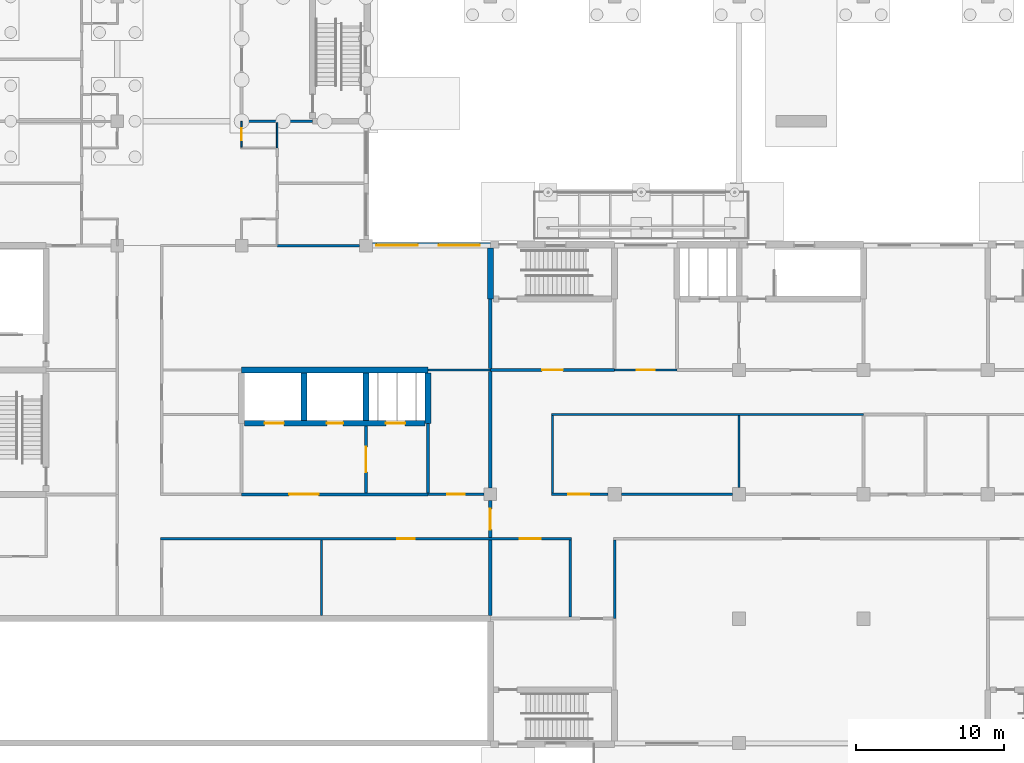
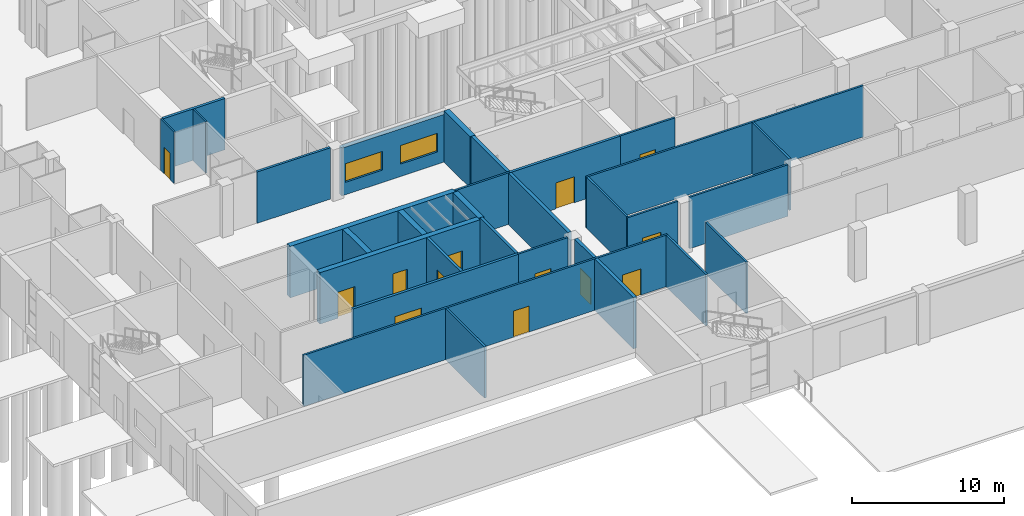
# One storey, part 96 of 138: 31 walls, 13 doors, 2 windows, 15 openings.
"""IFC4 building model written with IfcOpenShell, lengths in metres."""

from ifc_helpers import new_model, si_unit, direction, frame, frame_2d, origin, place, context, subcontext, project, spatial, rectangle, extrude, material, layer, layer_set, type_object, element, fill, save


model = new_model("IFC4")

# Units and contexts
model_context = context("Model", 3, precision=1e-05, world=origin(), true_north=direction((0.0, 1.0)))
body_context = subcontext(model_context, "Body", "Model", "MODEL_VIEW")
ifc_project = project(units=[si_unit("LENGTHUNIT", "METRE"), si_unit("AREAUNIT", "SQUARE_METRE"), si_unit("VOLUMEUNIT", "CUBIC_METRE"), si_unit("PLANEANGLEUNIT", "RADIAN"), si_unit("MASSUNIT", "GRAM", prefix="KILO")], contexts=[model_context])

# Site, building, storey
site_placement = place(None, origin())
site = spatial("IfcSite", under=ifc_project, at=site_placement, CompositionType="ELEMENT")
building_placement = place(site_placement, origin())
building = spatial("IfcBuilding", under=site, at=building_placement, Name="Yavir Park General Hospital", CompositionType="ELEMENT")
storey_placement = place(building_placement, origin())
storey = spatial("IfcBuildingStorey", under=building, at=storey_placement, Name="L00", CompositionType="ELEMENT", Elevation=0.0)

# Walls
ifc_material_1 = material(Name="Double-leaf gypsum board acoustic partition on staggered studs")
ifc_layer_1 = layer(ifc_material_1, 0.175048828125)
ifc_layer_set_1 = layer_set([ifc_layer_1], Name="Double-leaf gypsum board acoustic partition on staggered studs")
wall_type_1 = type_object("IfcWallType", Name="Acoustic partition 175", PredefinedType="PARTITIONING", material=ifc_layer_set_1)
wall_1_placement = place(storey_placement, frame((19.199951171875, 33.60009765625, 0.0), z_axis=(0.0, 0.0, 1.0), x_axis=(1.0, 0.0, 0.0)))
element("IfcWall", 1, at=wall_1_placement, inside=storey, type_object=wall_type_1, Name="AP175 L00-088", PredefinedType="PARTITIONING", context=body_context, shape_type="SweptSolid", body=[
    extrude(rectangle(XDim=5.574951171875, YDim=0.175048828125, at=frame_2d((2.78759765625, 0.0))), origin(), (0.0, 0.0, 1.0), 4.139892578125),
])
ifc_material_2 = material(Name="Concrete C30/37", Category="concrete")
ifc_layer_2 = layer(ifc_material_2, 0.25)
ifc_layer_set_2 = layer_set([ifc_layer_2], Name="Concrete C30/37")
wall_type_2 = type_object("IfcWallType", Name="Compartment fire wall 250, REI 150", PredefinedType="SOLIDWALL", material=ifc_layer_set_2)
wall_2_placement = place(storey_placement, frame((33.60009765625, 8.60009765625, 0.0), z_axis=(0.0, 0.0, 1.0), x_axis=(0.0, 1.0, 0.0)))
element("IfcWall", 2, at=wall_2_placement, inside=storey, type_object=wall_type_2, Name="FW25 L00-347", PredefinedType="SOLIDWALL", context=body_context, shape_type="SweptSolid", body=[
    extrude(rectangle(XDim=5.125, YDim=0.25, at=frame_2d((2.5625, 0.0))), origin(), (0.0, 0.0, 1.0), 4.139892578125),
])

# Wall, opening, door
wall_3_placement = place(storey_placement, frame((33.60009765625, 13.875, 0.0), z_axis=(0.0, 0.0, 1.0), x_axis=(0.0, 1.0, 0.0)))
wall_3 = element("IfcWall", 3, at=wall_3_placement, inside=storey, type_object=wall_type_2, Name="FW25 L00-348", PredefinedType="SOLIDWALL", context=body_context, shape_type="SweptSolid", body=[
    extrude(rectangle(XDim=2.5, YDim=0.25, at=frame_2d((1.25, 0.0))), origin(), (0.0, 0.0, 1.0), 4.139892578125),
])
opening_1_placement = place(wall_3_placement, frame((0.550048828125, 0.0, 0.0)))
opening_1 = element("IfcOpeningElement", 4, at=opening_1_placement, cuts=wall_3, Name="Opening L00.D194", PredefinedType="OPENING", context=body_context, shape_type="SweptSolid", body=[
    extrude(rectangle(XDim=1.39990234375, YDim=2.10009765625, at=frame_2d((0.699951171875, 1.050048828125))), frame((0.0, 0.135009765625, 0.0), z_axis=(0.0, -1.0, 0.0), x_axis=(1.0, 0.0, 0.0)), (0.0, 0.0, 1.0), 0.27001953125),
])
ifc_material_3 = material(Name="Steel frame, fire-resisting leaves with vision panels", Category="steel")
door_type_1 = type_object("IfcDoorType", Name="Double fire door with vision panels 1400 x 2100, EI 60", OperationType="DOUBLE_DOOR_SINGLE_SWING", PredefinedType="DOOR", material=ifc_material_3)
door_1_placement = place(opening_1_placement, origin())
door_1 = element("IfcDoor", 5, at=door_1_placement, inside=storey, type_object=door_type_1, Name="L00.D194", OperationType="SINGLE_SWING_RIGHT", OverallHeight=2.10009765625, OverallWidth=1.39990234375, PredefinedType="DOOR", context=body_context, shape_type="SweptSolid", body=[
    extrude(rectangle(XDim=1.39990234375, YDim=2.10009765625, at=frame_2d((0.699951171875, 1.050048828125))), frame((0.0, 0.030029296875, 0.0), z_axis=(0.0, -1.0, 0.0), x_axis=(1.0, 0.0, 0.0)), (0.0, 0.0, 1.0), 0.06005859375),
])
fill(opening_1, door_1)

# Walls
wall_4_placement = place(storey_placement, frame((33.60009765625, 17.22509765625, 0.0), z_axis=(0.0, 0.0, 1.0), x_axis=(0.0, 1.0, 0.0)))
element("IfcWall", 6, at=wall_4_placement, inside=storey, type_object=wall_type_2, Name="FW25 L00-349", PredefinedType="SOLIDWALL", context=body_context, shape_type="SweptSolid", body=[
    extrude(rectangle(XDim=7.875, YDim=0.25, at=frame_2d((3.9375, 0.0))), origin(), (0.0, 0.0, 1.0), 4.139892578125),
])
wall_5_placement = place(storey_placement, frame((33.60009765625, 25.300048828125, 0.0), z_axis=(0.0, 0.0, 1.0), x_axis=(0.0, 1.0, 0.0)))
element("IfcWall", 7, at=wall_5_placement, inside=storey, type_object=wall_type_2, Name="FW25 L00-350", PredefinedType="SOLIDWALL", context=body_context, shape_type="SweptSolid", body=[
    extrude(rectangle(XDim=4.699951171875, YDim=0.25, at=frame_2d((2.35009765625, 0.0))), origin(), (0.0, 0.0, 1.0), 4.139892578125),
])

# Wall, opening, door
ifc_material_4 = material(Name="Double gypsum board fire partition on steel studs", Category="steel")
ifc_layer_3 = layer(ifc_material_4, 0.199951171875)
ifc_layer_set_3 = layer_set([ifc_layer_3], Name="Double gypsum board fire partition on steel studs")
wall_type_3 = type_object("IfcWallType", Name="Fire-rated partition 200, EI 60", PredefinedType="PARTITIONING", material=ifc_layer_set_3)
wall_6_placement = place(storey_placement, frame((16.800048828125, 16.800048828125, 0.0), z_axis=(0.0, 0.0, 1.0), x_axis=(1.0, 0.0, 0.0)))
wall_6 = element("IfcWall", 8, at=wall_6_placement, inside=storey, type_object=wall_type_3, Name="FP20 L00-033", PredefinedType="PARTITIONING", context=body_context, shape_type="SweptSolid", body=[
    extrude(rectangle(XDim=12.599853515625, YDim=0.199951171875, at=frame_2d((6.2998046875, 0.0))), origin(), (0.0, 0.0, 1.0), 4.139892578125),
])
opening_2_placement = place(wall_6_placement, frame((3.199951171875, 0.0, 0.0)))
opening_2 = element("IfcOpeningElement", 9, at=opening_2_placement, cuts=wall_6, Name="Opening L00.D029", PredefinedType="OPENING", context=body_context, shape_type="SweptSolid", body=[
    extrude(rectangle(XDim=2.0, YDim=2.39990234375, at=frame_2d((1.0, 1.199951171875))), frame((0.0, 0.10986328125, 0.0), z_axis=(0.0, -1.0, 0.0), x_axis=(1.0, 0.0, 0.0)), (0.0, 0.0, 1.0), 0.219970703125),
])
ifc_material_5 = material(Name="Steel frame, fire-resisting leaves with vision panels", Category="steel")
door_type_2 = type_object("IfcDoorType", Name="Double fire door with vision panels 2000 x 2400, EI 60", OperationType="DOUBLE_DOOR_SINGLE_SWING", PredefinedType="DOOR", material=ifc_material_5)
door_2_placement = place(opening_2_placement, origin())
door_2 = element("IfcDoor", 10, at=door_2_placement, inside=storey, type_object=door_type_2, Name="L00.D029", OperationType="SINGLE_SWING_RIGHT", OverallHeight=2.39990234375, OverallWidth=2.0, PredefinedType="DOOR", context=body_context, shape_type="SweptSolid", body=[
    extrude(rectangle(XDim=2.0, YDim=2.39990234375, at=frame_2d((1.0, 1.199951171875))), frame((0.0, 0.030029296875, 0.0), z_axis=(0.0, -1.0, 0.0), x_axis=(1.0, 0.0, 0.0)), (0.0, 0.0, 1.0), 0.06005859375),
])
fill(opening_2, door_2)

wall_7_placement = place(storey_placement, frame((33.60009765625, 25.199951171875, 0.0), z_axis=(0.0, 0.0, 1.0), x_axis=(1.0, 0.0, 0.0)))
wall_7 = element("IfcWall", 11, at=wall_7_placement, inside=storey, type_object=wall_type_3, Name="FP20 L00-062", PredefinedType="PARTITIONING", context=body_context, shape_type="SweptSolid", body=[
    extrude(rectangle(XDim=8.39990234375, YDim=0.199951171875, at=frame_2d((4.199951171875, 0.0))), origin(), (0.0, 0.0, 1.0), 4.139892578125),
])
opening_3_placement = place(wall_7_placement, frame((3.5, 0.0, 0.0)))
opening_3 = element("IfcOpeningElement", 12, at=opening_3_placement, cuts=wall_7, Name="Opening L00.D058", PredefinedType="OPENING", context=body_context, shape_type="SweptSolid", body=[
    extrude(rectangle(XDim=1.39990234375, YDim=2.10009765625, at=frame_2d((0.699951171875, 1.050048828125))), frame((0.0, 0.10986328125, 0.0), z_axis=(0.0, -1.0, 0.0), x_axis=(1.0, 0.0, 0.0)), (0.0, 0.0, 1.0), 0.219970703125),
])
door_3_placement = place(opening_3_placement, origin())
door_3 = element("IfcDoor", 13, at=door_3_placement, inside=storey, type_object=door_type_1, Name="L00.D058", OperationType="SINGLE_SWING_RIGHT", OverallHeight=2.10009765625, OverallWidth=1.39990234375, PredefinedType="DOOR", context=body_context, shape_type="SweptSolid", body=[
    extrude(rectangle(XDim=1.39990234375, YDim=2.10009765625, at=frame_2d((0.699951171875, 1.050048828125))), frame((0.0, 0.030029296875, 0.0), z_axis=(0.0, -1.0, 0.0), x_axis=(1.0, 0.0, 0.0)), (0.0, 0.0, 1.0), 0.06005859375),
])
fill(opening_3, door_3)

# Wall
wall_8_placement = place(storey_placement, frame((16.89990234375, 42.0, 0.0), z_axis=(0.0, 0.0, 1.0), x_axis=(1.0, 0.0, 0.0)))
element("IfcWall", 14, at=wall_8_placement, inside=storey, type_object=wall_type_3, Name="FP20 L00-108", PredefinedType="PARTITIONING", context=body_context, shape_type="SweptSolid", body=[
    extrude(rectangle(XDim=4.7001953125, YDim=0.199951171875, at=frame_2d((2.35009765625, 0.0))), origin(), (0.0, 0.0, 1.0), 4.139892578125),
])

# Wall, opening, door
wall_9_placement = place(storey_placement, frame((25.199951171875, 16.89990234375, 0.0), z_axis=(0.0, 0.0, 1.0), x_axis=(0.0, 1.0, 0.0)))
wall_9 = element("IfcWall", 15, at=wall_9_placement, inside=storey, type_object=wall_type_3, Name="FP20 L00-342", PredefinedType="PARTITIONING", context=body_context, shape_type="SweptSolid", body=[
    extrude(rectangle(XDim=4.5, YDim=0.199951171875, at=frame_2d((2.25, 0.0))), origin(), (0.0, 0.0, 1.0), 4.139892578125),
])
opening_4_placement = place(wall_9_placement, frame((1.39990234375, 0.0, 0.0)))
opening_4 = element("IfcOpeningElement", 16, at=opening_4_placement, cuts=wall_9, Name="Opening L00.D193", PredefinedType="OPENING", context=body_context, shape_type="SweptSolid", body=[
    extrude(rectangle(XDim=1.699951171875, YDim=2.39990234375, at=frame_2d((0.85009765625, 1.199951171875))), frame((0.0, 0.10986328125, 0.0), z_axis=(0.0, -1.0, 0.0), x_axis=(1.0, 0.0, 0.0)), (0.0, 0.0, 1.0), 0.219970703125),
])
ifc_material_6 = material(Name="Steel frame, fire-resisting timber leaves", Category="steel")
door_type_3 = type_object("IfcDoorType", Name="Double fire door 1700 x 2400, EI 60", OperationType="DOUBLE_DOOR_SINGLE_SWING", PredefinedType="DOOR", material=ifc_material_6)
door_4_placement = place(opening_4_placement, origin())
door_4 = element("IfcDoor", 17, at=door_4_placement, inside=storey, type_object=door_type_3, Name="L00.D193", OperationType="SINGLE_SWING_RIGHT", OverallHeight=2.39990234375, OverallWidth=1.699951171875, PredefinedType="DOOR", context=body_context, shape_type="SweptSolid", body=[
    extrude(rectangle(XDim=1.699951171875, YDim=2.39990234375, at=frame_2d((0.85009765625, 1.199951171875))), frame((0.0, 0.02490234375, 0.0), z_axis=(0.0, -1.0, 0.0), x_axis=(1.0, 0.0, 0.0)), (0.0, 0.0, 1.0), 0.050048828125),
])
fill(opening_4, door_4)

# Wall
wall_10_placement = place(storey_placement, frame((29.39990234375, 16.89990234375, 0.0), z_axis=(0.0, 0.0, 1.0), x_axis=(0.0, 1.0, 0.0)))
element("IfcWall", 18, at=wall_10_placement, inside=storey, type_object=wall_type_3, Name="FP20 L00-344", PredefinedType="PARTITIONING", context=body_context, shape_type="SweptSolid", body=[
    extrude(rectangle(XDim=4.7001953125, YDim=0.199951171875, at=frame_2d((2.35009765625, 0.0))), origin(), (0.0, 0.0, 1.0), 4.139892578125),
])

# Wall, opening, door
ifc_material_7 = material(Name="Gypsum board partition on steel studs", Category="steel")
ifc_layer_4 = layer(ifc_material_7, 0.10009765625)
ifc_layer_set_4 = layer_set([ifc_layer_4], Name="Gypsum board partition on steel studs")
wall_type_4 = type_object("IfcWallType", Name="Gypsum board partition 100", PredefinedType="PARTITIONING", material=ifc_layer_set_4)
wall_11_placement = place(storey_placement, frame((16.800048828125, 40.25, 0.0), z_axis=(0.0, 0.0, 1.0), x_axis=(0.0, 1.0, 0.0)))
wall_11 = element("IfcWall", 19, at=wall_11_placement, inside=storey, type_object=wall_type_4, Name="P10 L00-300", PredefinedType="PARTITIONING", context=body_context, shape_type="SweptSolid", body=[
    extrude(rectangle(XDim=1.75, YDim=0.10009765625, at=frame_2d((0.875, 0.0))), origin(), (0.0, 0.0, 1.0), 4.139892578125),
])
opening_5_placement = place(wall_11_placement, frame((0.47509765625, 0.0, 0.0)))
opening_5 = element("IfcOpeningElement", 20, at=opening_5_placement, cuts=wall_11, Name="Opening L00.D163", PredefinedType="OPENING", context=body_context, shape_type="SweptSolid", body=[
    extrude(rectangle(XDim=0.800048828125, YDim=2.10009765625, at=frame_2d((0.39990234375, 1.050048828125))), frame((0.0, 0.06005859375, 0.0), z_axis=(0.0, -1.0, 0.0), x_axis=(1.0, 0.0, 0.0)), (0.0, 0.0, 1.0), 0.1201171875),
])
ifc_material_8 = material(Name="Timber frame, hollow-core leaf", Category="wood")
door_type_4 = type_object("IfcDoorType", Name="Light cupboard door 800 x 2100", OperationType="SINGLE_SWING_LEFT", PredefinedType="DOOR", material=ifc_material_8)
door_5_placement = place(opening_5_placement, origin())
door_5 = element("IfcDoor", 21, at=door_5_placement, inside=storey, type_object=door_type_4, Name="L00.D163", OperationType="SINGLE_SWING_LEFT", OverallHeight=2.10009765625, OverallWidth=0.800048828125, PredefinedType="DOOR", context=body_context, shape_type="SweptSolid", body=[
    extrude(rectangle(XDim=0.800048828125, YDim=2.10009765625, at=frame_2d((0.39990234375, 1.050048828125))), frame((0.0, 0.02001953125, 0.0), z_axis=(0.0, -1.0, 0.0), x_axis=(1.0, 0.0, 0.0)), (0.0, 0.0, 1.0), 0.0400390625),
])
fill(opening_5, door_5)

# Wall
wall_12_placement = place(storey_placement, frame((19.199951171875, 40.199951171875, 0.0), z_axis=(0.0, 0.0, 1.0), x_axis=(0.0, 1.0, 0.0)))
element("IfcWall", 22, at=wall_12_placement, inside=storey, type_object=wall_type_4, Name="P10 L00-318", PredefinedType="PARTITIONING", context=body_context, shape_type="SweptSolid", body=[
    extrude(rectangle(XDim=1.699951171875, YDim=0.10009765625, at=frame_2d((0.85009765625, 0.0))), origin(), (0.0, 0.0, 1.0), 4.139892578125),
])

# Wall, openings, doors
ifc_material_9 = material(Name="Gypsum board partition on steel studs", Category="steel")
ifc_layer_5 = layer(ifc_material_9, 0.14990234375)
ifc_layer_set_5 = layer_set([ifc_layer_5], Name="Gypsum board partition on steel studs")
wall_type_5 = type_object("IfcWallType", Name="Gypsum board partition 150", PredefinedType="PARTITIONING", material=ifc_layer_set_5)
wall_13_placement = place(storey_placement, frame((11.324951171875, 13.800048828125, 0.0), z_axis=(0.0, 0.0, 1.0), x_axis=(1.0, 0.0, 0.0)))
wall_13 = element("IfcWall", 23, at=wall_13_placement, inside=storey, type_object=wall_type_5, Name="P15 L00-027", PredefinedType="PARTITIONING", context=body_context, shape_type="SweptSolid", body=[
    extrude(rectangle(XDim=27.75, YDim=0.14990234375, at=frame_2d((13.875, 0.0))), origin(), (0.0, 0.0, 1.0), 4.139892578125),
])
opening_6_placement = place(wall_13_placement, frame((15.97509765625, 0.0, 0.0)))
opening_6 = element("IfcOpeningElement", 24, at=opening_6_placement, cuts=wall_13, Name="Opening L00.D024", PredefinedType="OPENING", context=body_context, shape_type="SweptSolid", body=[
    extrude(rectangle(XDim=1.199951171875, YDim=2.10009765625, at=frame_2d((0.60009765625, 1.050048828125))), frame((0.0, 0.0849609375, 0.0), z_axis=(0.0, -1.0, 0.0), x_axis=(1.0, 0.0, 0.0)), (0.0, 0.0, 1.0), 0.169921875),
])
opening_7_placement = place(wall_13_placement, frame((24.27490234375, 0.0, 0.0)))
opening_7 = element("IfcOpeningElement", 25, at=opening_7_placement, cuts=wall_13, Name="Opening L00.D025", PredefinedType="OPENING", context=body_context, shape_type="SweptSolid", body=[
    extrude(rectangle(XDim=1.39990234375, YDim=2.10009765625, at=frame_2d((0.699951171875, 1.050048828125))), frame((0.0, 0.0849609375, 0.0), z_axis=(0.0, -1.0, 0.0), x_axis=(1.0, 0.0, 0.0)), (0.0, 0.0, 1.0), 0.169921875),
])
ifc_material_10 = material(Name="Hollow metal frame, solid-core timber leaf", Category="wood")
door_type_5 = type_object("IfcDoorType", Name="Double swing door 1400 x 2100", OperationType="DOUBLE_DOOR_SINGLE_SWING", PredefinedType="DOOR", material=ifc_material_10)
door_6_placement = place(opening_7_placement, origin())
door_6 = element("IfcDoor", 26, at=door_6_placement, inside=storey, type_object=door_type_5, Name="L00.D025", OperationType="SINGLE_SWING_LEFT", OverallHeight=2.10009765625, OverallWidth=1.39990234375, PredefinedType="DOOR", context=body_context, shape_type="SweptSolid", body=[
    extrude(rectangle(XDim=1.39990234375, YDim=2.10009765625, at=frame_2d((0.699951171875, 1.050048828125))), frame((0.0, 0.02490234375, 0.0), z_axis=(0.0, -1.0, 0.0), x_axis=(1.0, 0.0, 0.0)), (0.0, 0.0, 1.0), 0.050048828125),
])
fill(opening_7, door_6)
ifc_material_11 = material(Name="Hollow metal frame, solid-core timber leaf", Category="wood")
door_type_6 = type_object("IfcDoorType", Name="Single swing door 1200 x 2100", OperationType="SINGLE_SWING_LEFT", PredefinedType="DOOR", material=ifc_material_11)
door_7_placement = place(opening_6_placement, origin())
door_7 = element("IfcDoor", 27, at=door_7_placement, inside=storey, type_object=door_type_6, Name="L00.D024", OperationType="SINGLE_SWING_RIGHT", OverallHeight=2.10009765625, OverallWidth=1.199951171875, PredefinedType="DOOR", context=body_context, shape_type="SweptSolid", body=[
    extrude(rectangle(XDim=1.199951171875, YDim=2.10009765625, at=frame_2d((0.60009765625, 1.050048828125))), frame((0.0, 0.02490234375, 0.0), z_axis=(0.0, -1.0, 0.0), x_axis=(1.0, 0.0, 0.0)), (0.0, 0.0, 1.0), 0.050048828125),
])
fill(opening_6, door_7)

# Wall, opening, door
wall_14_placement = place(storey_placement, frame((29.39990234375, 16.800048828125, 0.0), z_axis=(0.0, 0.0, 1.0), x_axis=(1.0, 0.0, 0.0)))
wall_14 = element("IfcWall", 28, at=wall_14_placement, inside=storey, type_object=wall_type_5, Name="P15 L00-034", PredefinedType="PARTITIONING", context=body_context, shape_type="SweptSolid", body=[
    extrude(rectangle(XDim=3.775146484375, YDim=0.14990234375, at=frame_2d((1.8876953125, 0.0))), origin(), (0.0, 0.0, 1.0), 4.139892578125),
])
opening_8_placement = place(wall_14_placement, frame((1.28759765625, 0.0, 0.0)))
opening_8 = element("IfcOpeningElement", 29, at=opening_8_placement, cuts=wall_14, Name="Opening L00.D030", PredefinedType="OPENING", context=body_context, shape_type="SweptSolid", body=[
    extrude(rectangle(XDim=1.199951171875, YDim=2.10009765625, at=frame_2d((0.60009765625, 1.050048828125))), frame((0.0, 0.0849609375, 0.0), z_axis=(0.0, -1.0, 0.0), x_axis=(1.0, 0.0, 0.0)), (0.0, 0.0, 1.0), 0.169921875),
])
door_8_placement = place(opening_8_placement, origin())
door_8 = element("IfcDoor", 30, at=door_8_placement, inside=storey, type_object=door_type_6, Name="L00.D030", OperationType="SINGLE_SWING_RIGHT", OverallHeight=2.10009765625, OverallWidth=1.199951171875, PredefinedType="DOOR", context=body_context, shape_type="SweptSolid", body=[
    extrude(rectangle(XDim=1.199951171875, YDim=2.10009765625, at=frame_2d((0.60009765625, 1.050048828125))), frame((0.0, 0.02490234375, 0.0), z_axis=(0.0, -1.0, 0.0), x_axis=(1.0, 0.0, 0.0)), (0.0, 0.0, 1.0), 0.050048828125),
])
fill(opening_8, door_8)

wall_15_placement = place(storey_placement, frame((37.72509765625, 16.800048828125, 0.0), z_axis=(0.0, 0.0, 1.0), x_axis=(1.0, 0.0, 0.0)))
wall_15 = element("IfcWall", 31, at=wall_15_placement, inside=storey, type_object=wall_type_5, Name="P15 L00-035", PredefinedType="PARTITIONING", context=body_context, shape_type="SweptSolid", body=[
    extrude(rectangle(XDim=3.824951171875, YDim=0.14990234375, at=frame_2d((1.91259765625, 0.0))), origin(), (0.0, 0.0, 1.0), 4.139892578125),
])
opening_9_placement = place(wall_15_placement, frame((1.14990234375, 0.0, 0.0)))
opening_9 = element("IfcOpeningElement", 32, at=opening_9_placement, cuts=wall_15, Name="Opening L00.D031", PredefinedType="OPENING", context=body_context, shape_type="SweptSolid", body=[
    extrude(rectangle(XDim=1.39990234375, YDim=2.10009765625, at=frame_2d((0.699951171875, 1.050048828125))), frame((0.0, 0.0849609375, 0.0), z_axis=(0.0, -1.0, 0.0), x_axis=(1.0, 0.0, 0.0)), (0.0, 0.0, 1.0), 0.169921875),
])
door_9_placement = place(opening_9_placement, origin())
door_9 = element("IfcDoor", 33, at=door_9_placement, inside=storey, type_object=door_type_5, Name="L00.D031", OperationType="SINGLE_SWING_RIGHT", OverallHeight=2.10009765625, OverallWidth=1.39990234375, PredefinedType="DOOR", context=body_context, shape_type="SweptSolid", body=[
    extrude(rectangle(XDim=1.39990234375, YDim=2.10009765625, at=frame_2d((0.699951171875, 1.050048828125))), frame((0.0, 0.02490234375, 0.0), z_axis=(0.0, -1.0, 0.0), x_axis=(1.0, 0.0, 0.0)), (0.0, 0.0, 1.0), 0.050048828125),
])
fill(opening_9, door_9)

# Walls
wall_16_placement = place(storey_placement, frame((42.449951171875, 16.800048828125, 0.0), z_axis=(0.0, 0.0, 1.0), x_axis=(1.0, 0.0, 0.0)))
element("IfcWall", 34, at=wall_16_placement, inside=storey, type_object=wall_type_5, Name="P15 L00-036", PredefinedType="PARTITIONING", context=body_context, shape_type="SweptSolid", body=[
    extrude(rectangle(XDim=7.5, YDim=0.14990234375, at=frame_2d((3.75, 0.0))), origin(), (0.0, 0.0, 1.0), 4.139892578125),
])
wall_17_placement = place(storey_placement, frame((37.72509765625, 22.199951171875, 0.0), z_axis=(0.0, 0.0, 1.0), x_axis=(1.0, 0.0, 0.0)))
element("IfcWall", 35, at=wall_17_placement, inside=storey, type_object=wall_type_5, Name="P15 L00-053", PredefinedType="PARTITIONING", context=body_context, shape_type="SweptSolid", body=[
    extrude(rectangle(XDim=21.074951171875, YDim=0.14990234375, at=frame_2d((10.53759765625, 0.0))), origin(), (0.0, 0.0, 1.0), 4.139892578125),
])
wall_18_placement = place(storey_placement, frame((29.39990234375, 25.199951171875, 0.0), z_axis=(0.0, 0.0, 1.0), x_axis=(1.0, 0.0, 0.0)))
element("IfcWall", 36, at=wall_18_placement, inside=storey, type_object=wall_type_5, Name="P15 L00-061", PredefinedType="PARTITIONING", context=body_context, shape_type="SweptSolid", body=[
    extrude(rectangle(XDim=4.2001953125, YDim=0.14990234375, at=frame_2d((2.10009765625, 0.0))), origin(), (0.0, 0.0, 1.0), 4.139892578125),
])

# Wall, opening, door
wall_19_placement = place(storey_placement, frame((42.0, 25.199951171875, 0.0), z_axis=(0.0, 0.0, 1.0), x_axis=(1.0, 0.0, 0.0)))
wall_19 = element("IfcWall", 37, at=wall_19_placement, inside=storey, type_object=wall_type_5, Name="P15 L00-063", PredefinedType="PARTITIONING", context=body_context, shape_type="SweptSolid", body=[
    extrude(rectangle(XDim=4.199951171875, YDim=0.14990234375, at=frame_2d((2.10009765625, 0.0))), origin(), (0.0, 0.0, 1.0), 4.139892578125),
])
opening_10_placement = place(wall_19_placement, frame((1.5, 0.0, 0.0)))
opening_10 = element("IfcOpeningElement", 38, at=opening_10_placement, cuts=wall_19, Name="Opening L00.D059", PredefinedType="OPENING", context=body_context, shape_type="SweptSolid", body=[
    extrude(rectangle(XDim=1.199951171875, YDim=2.10009765625, at=frame_2d((0.60009765625, 1.050048828125))), frame((0.0, 0.0849609375, 0.0), z_axis=(0.0, -1.0, 0.0), x_axis=(1.0, 0.0, 0.0)), (0.0, 0.0, 1.0), 0.169921875),
])
door_10_placement = place(opening_10_placement, origin())
door_10 = element("IfcDoor", 39, at=door_10_placement, inside=storey, type_object=door_type_6, Name="L00.D059", OperationType="SINGLE_SWING_RIGHT", OverallHeight=2.10009765625, OverallWidth=1.199951171875, PredefinedType="DOOR", context=body_context, shape_type="SweptSolid", body=[
    extrude(rectangle(XDim=1.199951171875, YDim=2.10009765625, at=frame_2d((0.60009765625, 1.050048828125))), frame((0.0, 0.02490234375, 0.0), z_axis=(0.0, -1.0, 0.0), x_axis=(1.0, 0.0, 0.0)), (0.0, 0.0, 1.0), 0.050048828125),
])
fill(opening_10, door_10)

# Walls
wall_20_placement = place(storey_placement, frame((22.199951171875, 8.60009765625, 0.0), z_axis=(0.0, 0.0, 1.0), x_axis=(0.0, 1.0, 0.0)))
element("IfcWall", 40, at=wall_20_placement, inside=storey, type_object=wall_type_5, Name="P15 L00-341", PredefinedType="PARTITIONING", context=body_context, shape_type="SweptSolid", body=[
    extrude(rectangle(XDim=5.125, YDim=0.14990234375, at=frame_2d((2.5625, 0.0))), origin(), (0.0, 0.0, 1.0), 4.139892578125),
])
wall_21_placement = place(storey_placement, frame((37.800048828125, 16.875, 0.0), z_axis=(0.0, 0.0, 1.0), x_axis=(0.0, 1.0, 0.0)))
element("IfcWall", 41, at=wall_21_placement, inside=storey, type_object=wall_type_5, Name="P15 L00-352", PredefinedType="PARTITIONING", context=body_context, shape_type="SweptSolid", body=[
    extrude(rectangle(XDim=5.25, YDim=0.14990234375, at=frame_2d((2.625, 0.0))), origin(), (0.0, 0.0, 1.0), 4.139892578125),
])
wall_22_placement = place(storey_placement, frame((39.0, 8.5, 0.0), z_axis=(0.0, 0.0, 1.0), x_axis=(0.0, 1.0, 0.0)))
element("IfcWall", 42, at=wall_22_placement, inside=storey, type_object=wall_type_5, Name="P15 L00-354", PredefinedType="PARTITIONING", context=body_context, shape_type="SweptSolid", body=[
    extrude(rectangle(XDim=5.22509765625, YDim=0.14990234375, at=frame_2d((2.612548828125, 0.0))), origin(), (0.0, 0.0, 1.0), 4.139892578125),
])
wall_23_placement = place(storey_placement, frame((42.0, 8.39990234375, 0.0), z_axis=(0.0, 0.0, 1.0), x_axis=(0.0, 1.0, 0.0)))
element("IfcWall", 43, at=wall_23_placement, inside=storey, type_object=wall_type_5, Name="P15 L00-357", PredefinedType="PARTITIONING", context=body_context, shape_type="SweptSolid", body=[
    extrude(rectangle(XDim=5.3251953125, YDim=0.14990234375, at=frame_2d((2.66259765625, 0.0))), origin(), (0.0, 0.0, 1.0), 4.139892578125),
])
wall_24_placement = place(storey_placement, frame((50.39990234375, 17.25, 0.0), z_axis=(0.0, 0.0, 1.0), x_axis=(0.0, 1.0, 0.0)))
element("IfcWall", 44, at=wall_24_placement, inside=storey, type_object=wall_type_5, Name="P15 L00-368", PredefinedType="PARTITIONING", context=body_context, shape_type="SweptSolid", body=[
    extrude(rectangle(XDim=4.875, YDim=0.14990234375, at=frame_2d((2.4375, 0.0))), origin(), (0.0, 0.0, 1.0), 4.139892578125),
])

# Wall, openings, windows
ifc_material_12 = material(Name="Concrete C30/37 precast panel with 120 mm mineral wool insulation", Category="concrete")
ifc_layer_6 = layer(ifc_material_12, 0.35009765625)
ifc_layer_set_6 = layer_set([ifc_layer_6], Name="Concrete C30/37 precast panel with 120 mm mineral wool insulation")
wall_type_6 = type_object("IfcWallType", Name="Precast cladding panel podium wall 350, E 30", PredefinedType="SOLIDWALL", material=ifc_layer_set_6)
wall_25_placement = place(storey_placement, frame((25.625, 33.625, 0.0), z_axis=(0.0, 0.0, 1.0), x_axis=(1.0, 0.0, 0.0)))
wall_25 = element("IfcWall", 45, at=wall_25_placement, inside=storey, type_object=wall_type_6, Name="XW2 L00-032", PredefinedType="SOLIDWALL", context=body_context, shape_type="SweptSolid", body=[
    extrude(rectangle(XDim=7.97509765625, YDim=0.35009765625, at=frame_2d((3.987548828125, 0.0))), origin(), (0.0, 0.0, 1.0), 3.840087890625),
])
opening_11_placement = place(wall_25_placement, frame((0.27490234375, 0.0, 1.0)))
opening_11 = element("IfcOpeningElement", 46, at=opening_11_placement, cuts=wall_25, Name="Opening WRB2", PredefinedType="OPENING", context=body_context, shape_type="SweptSolid", body=[
    extrude(rectangle(XDim=2.800048828125, YDim=1.5, at=frame_2d((1.39990234375, 0.75))), frame((0.0, 0.18505859375, 0.0), z_axis=(0.0, -1.0, 0.0), x_axis=(1.0, 0.0, 0.0)), (0.0, 0.0, 1.0), 0.3701171875),
])
opening_12_placement = place(wall_25_placement, frame((4.47509765625, 0.0, 1.0)))
opening_12 = element("IfcOpeningElement", 47, at=opening_12_placement, cuts=wall_25, Name="Opening WRB2", PredefinedType="OPENING", context=body_context, shape_type="SweptSolid", body=[
    extrude(rectangle(XDim=2.800048828125, YDim=1.5, at=frame_2d((1.39990234375, 0.75))), frame((0.0, 0.18505859375, 0.0), z_axis=(0.0, -1.0, 0.0), x_axis=(1.0, 0.0, 0.0)), (0.0, 0.0, 1.0), 0.3701171875),
])
ifc_material_13 = material(Name="Aluminium frame, double glazed unit", Category="aluminium")
window_type = type_object("IfcWindowType", Name="Tall ribbon window 2800 x 1500", PartitioningType="DOUBLE_PANEL_VERTICAL", PredefinedType="WINDOW", material=ifc_material_13)
window_1_placement = place(opening_11_placement, origin())
window_1 = element("IfcWindow", 48, at=window_1_placement, inside=storey, type_object=window_type, Name="WRB2 L00-006", OverallHeight=1.5, OverallWidth=2.800048828125, PartitioningType="DOUBLE_PANEL_VERTICAL", PredefinedType="WINDOW", context=body_context, shape_type="SweptSolid", body=[
    extrude(rectangle(XDim=2.800048828125, YDim=1.5, at=frame_2d((1.39990234375, 0.75))), frame((0.0, 0.030029296875, 0.0), z_axis=(0.0, -1.0, 0.0), x_axis=(1.0, 0.0, 0.0)), (0.0, 0.0, 1.0), 0.06005859375),
])
fill(opening_11, window_1)
window_2_placement = place(opening_12_placement, origin())
window_2 = element("IfcWindow", 49, at=window_2_placement, inside=storey, type_object=window_type, Name="WRB2 L00-007", OverallHeight=1.5, OverallWidth=2.800048828125, PartitioningType="DOUBLE_PANEL_VERTICAL", PredefinedType="WINDOW", context=body_context, shape_type="SweptSolid", body=[
    extrude(rectangle(XDim=2.800048828125, YDim=1.5, at=frame_2d((1.39990234375, 0.75))), frame((0.0, 0.030029296875, 0.0), z_axis=(0.0, -1.0, 0.0), x_axis=(1.0, 0.0, 0.0)), (0.0, 0.0, 1.0), 0.06005859375),
])
fill(opening_12, window_2)

# Wall, openings, doors
ifc_material_14 = material(Name="Concrete C35/45", Category="concrete")
ifc_layer_7 = layer(ifc_material_14, 0.39990234375)
ifc_layer_set_7 = layer_set([ifc_layer_7], Name="Concrete C35/45")
wall_type_7 = type_object("IfcWallType", Name="Reinforced concrete core wall 400, REI 150", PredefinedType="SHEAR", material=ifc_layer_set_7)
wall_26_placement = place(storey_placement, frame((17.0, 21.60009765625, 0.0), z_axis=(0.0, 0.0, 1.0), x_axis=(1.0, 0.0, 0.0)))
wall_26 = element("IfcWall", 50, at=wall_26_placement, inside=storey, type_object=wall_type_7, Name="CW40 L00-049", PredefinedType="SHEAR", context=body_context, shape_type="SweptSolid", body=[
    extrude(rectangle(XDim=12.199951171875, YDim=0.39990234375, at=frame_2d((6.10009765625, 0.0))), origin(), (0.0, 0.0, 1.0), 4.139892578125),
])
opening_13_placement = place(wall_26_placement, frame((1.35009765625, 0.0, 0.0)))
opening_13 = element("IfcOpeningElement", 51, at=opening_13_placement, cuts=wall_26, Name="Opening L00.D044", PredefinedType="OPENING", context=body_context, shape_type="SweptSolid", body=[
    extrude(rectangle(XDim=1.300048828125, YDim=2.10009765625, at=frame_2d((0.64990234375, 1.050048828125))), frame((0.0, 0.2099609375, 0.0), z_axis=(0.0, -1.0, 0.0), x_axis=(1.0, 0.0, 0.0)), (0.0, 0.0, 1.0), 0.419921875),
])
opening_14_placement = place(wall_26_placement, frame((5.550048828125, 0.0, 0.0)))
opening_14 = element("IfcOpeningElement", 52, at=opening_14_placement, cuts=wall_26, Name="Opening L00.D045", PredefinedType="OPENING", context=body_context, shape_type="SweptSolid", body=[
    extrude(rectangle(XDim=1.10009765625, YDim=2.10009765625, at=frame_2d((0.550048828125, 1.050048828125))), frame((0.0, 0.2099609375, 0.0), z_axis=(0.0, -1.0, 0.0), x_axis=(1.0, 0.0, 0.0)), (0.0, 0.0, 1.0), 0.419921875),
])
opening_15_placement = place(wall_26_placement, frame((9.550048828125, 0.0, 0.0)))
opening_15 = element("IfcOpeningElement", 53, at=opening_15_placement, cuts=wall_26, Name="Opening L00.D046", PredefinedType="OPENING", context=body_context, shape_type="SweptSolid", body=[
    extrude(rectangle(XDim=1.300048828125, YDim=2.10009765625, at=frame_2d((0.64990234375, 1.050048828125))), frame((0.0, 0.2099609375, 0.0), z_axis=(0.0, -1.0, 0.0), x_axis=(1.0, 0.0, 0.0)), (0.0, 0.0, 1.0), 0.419921875),
])
ifc_material_15 = material(Name="Stainless steel landing door panels", Category="steel")
door_type_7 = type_object("IfcDoorType", Name="Lift landing door 1100 x 2100, EI 60", OperationType="SLIDING_TO_LEFT", PredefinedType="DOOR", material=ifc_material_15)
door_11_placement = place(opening_14_placement, origin())
door_11 = element("IfcDoor", 54, at=door_11_placement, inside=storey, type_object=door_type_7, Name="L00.D045", OperationType="SLIDING_TO_LEFT", OverallHeight=2.10009765625, OverallWidth=1.10009765625, PredefinedType="DOOR", context=body_context, shape_type="SweptSolid", body=[
    extrude(rectangle(XDim=1.10009765625, YDim=2.10009765625, at=frame_2d((0.550048828125, 1.050048828125))), frame((0.0, 0.02490234375, 0.0), z_axis=(0.0, -1.0, 0.0), x_axis=(1.0, 0.0, 0.0)), (0.0, 0.0, 1.0), 0.050048828125),
])
fill(opening_14, door_11)
ifc_material_16 = material(Name="Stainless steel landing door panels", Category="steel")
door_type_8 = type_object("IfcDoorType", Name="Lift landing door 1300 x 2100, EI 60", OperationType="SLIDING_TO_LEFT", PredefinedType="DOOR", material=ifc_material_16)
door_12_placement = place(opening_13_placement, origin())
door_12 = element("IfcDoor", 55, at=door_12_placement, inside=storey, type_object=door_type_8, Name="L00.D044", OperationType="SLIDING_TO_LEFT", OverallHeight=2.10009765625, OverallWidth=1.300048828125, PredefinedType="DOOR", context=body_context, shape_type="SweptSolid", body=[
    extrude(rectangle(XDim=1.300048828125, YDim=2.10009765625, at=frame_2d((0.64990234375, 1.050048828125))), frame((0.0, 0.02490234375, 0.0), z_axis=(0.0, -1.0, 0.0), x_axis=(1.0, 0.0, 0.0)), (0.0, 0.0, 1.0), 0.050048828125),
])
fill(opening_13, door_12)
door_13_placement = place(opening_15_placement, origin())
door_13 = element("IfcDoor", 56, at=door_13_placement, inside=storey, type_object=door_type_8, Name="L00.D046", OperationType="SLIDING_TO_LEFT", OverallHeight=2.10009765625, OverallWidth=1.300048828125, PredefinedType="DOOR", context=body_context, shape_type="SweptSolid", body=[
    extrude(rectangle(XDim=1.300048828125, YDim=2.10009765625, at=frame_2d((0.64990234375, 1.050048828125))), frame((0.0, 0.02490234375, 0.0), z_axis=(0.0, -1.0, 0.0), x_axis=(1.0, 0.0, 0.0)), (0.0, 0.0, 1.0), 0.050048828125),
])
fill(opening_15, door_13)

# Walls
wall_27_placement = place(storey_placement, frame((16.800048828125, 25.199951171875, 0.0), z_axis=(0.0, 0.0, 1.0), x_axis=(1.0, 0.0, 0.0)))
element("IfcWall", 57, at=wall_27_placement, inside=storey, type_object=wall_type_7, Name="CW40 L00-060", PredefinedType="SHEAR", context=body_context, shape_type="SweptSolid", body=[
    extrude(rectangle(XDim=12.599853515625, YDim=0.39990234375, at=frame_2d((6.2998046875, 0.0))), origin(), (0.0, 0.0, 1.0), 4.139892578125),
])
for number, where, z_axis, x_axis, name in (
    (58, (21.0, 21.800048828125, 0.0), (0.0, 0.0, 1.0), (0.0, 1.0, 0.0), "CW40 L00-337"),
    (59, (25.199951171875, 21.800048828125, 0.0), (0.0, 0.0, 1.0), (0.0, 1.0, 0.0), "CW40 L00-343"),
):
    element("IfcWall", number, at=place(storey_placement, frame(where, z_axis=z_axis, x_axis=x_axis)), inside=storey, type_object=wall_type_7, Name=name, PredefinedType="SHEAR", context=body_context, shape_type="SweptSolid", body=[
        extrude(rectangle(XDim=3.199951171875, YDim=0.39990234375, at=frame_2d((1.60009765625, 0.0))), origin(), (0.0, 0.0, 1.0), 4.139892578125),
    ])
wall_28_placement = place(storey_placement, frame((29.39990234375, 21.60009765625, 0.0), z_axis=(0.0, 0.0, 1.0), x_axis=(0.0, 1.0, 0.0)))
element("IfcWall", 60, at=wall_28_placement, inside=storey, type_object=wall_type_7, Name="CW40 L00-345", PredefinedType="SHEAR", context=body_context, shape_type="SweptSolid", body=[
    extrude(rectangle(XDim=3.39990234375, YDim=0.39990234375, at=frame_2d((1.699951171875, 0.0))), origin(), (0.0, 0.0, 1.0), 4.139892578125),
])
wall_29_placement = place(storey_placement, frame((33.60009765625, 30.0, 0.0), z_axis=(0.0, 0.0, 1.0), x_axis=(0.0, 1.0, 0.0)))
element("IfcWall", 61, at=wall_29_placement, inside=storey, type_object=wall_type_7, Name="CW40 L00-351", PredefinedType="SHEAR", context=body_context, shape_type="SweptSolid", body=[
    extrude(rectangle(XDim=3.449951171875, YDim=0.39990234375, at=frame_2d((1.72509765625, 0.0))), origin(), (0.0, 0.0, 1.0), 4.139892578125),
])

save(model, "model.ifc")
